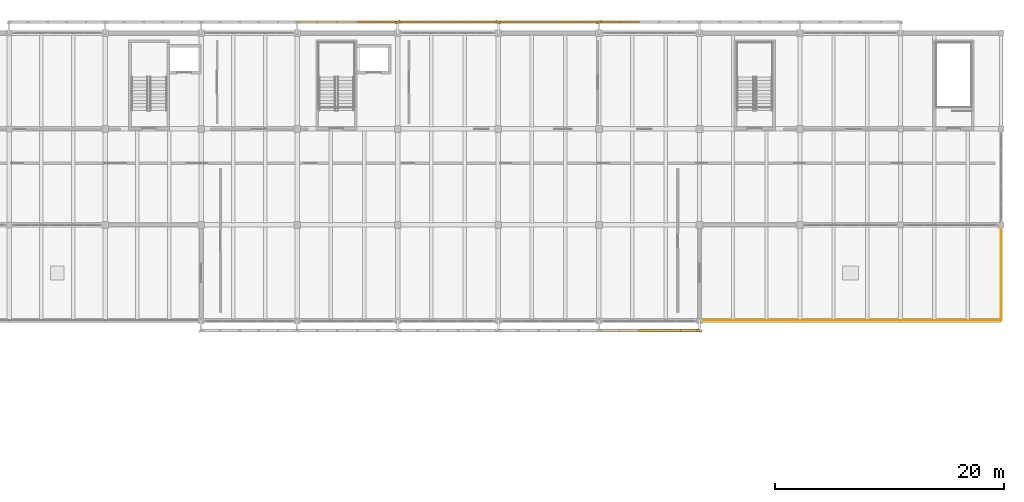
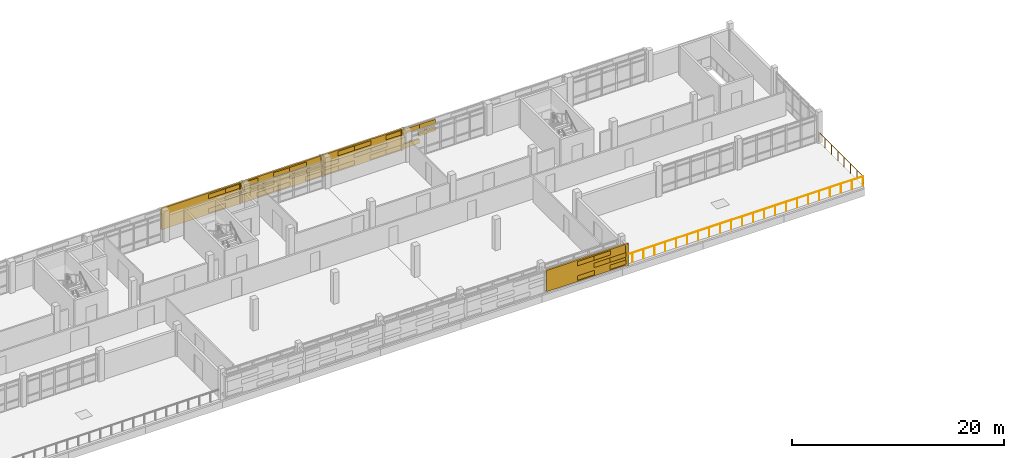
# One storey, part 49 of 50: 38 coverings, 4 shading devices, 2 railings.
"""IFC4 building model written with IfcOpenShell, lengths in metres."""

import ifcopenshell
import ifcopenshell.guid

model = None  # the IFC model being written
_history = None  # IfcOwnerHistory: only IFC2X3 demands one
_inside = {}  # id of a spatial element -> (the spatial element, [elements in it])
_under = {}  # id of a project, library or spatial element -> (it, [spatial elements below it])
_declared = {}  # id of a project -> (the project, [libraries it declares])
_typed = {}  # id of a type object -> (the type object, [elements of that type])
_made_of = {}  # id of a material, layer set ... -> (it, [elements and type objects made of it])


def new_model(schema):
    """Start an empty IFC model of exactly this schema.

    Asked for "IFC4X3", IfcOpenShell would pick the latest addendum, in which some entities
    have other attributes; the version numbers below select the first issue.
    IFC2X3 requires an IfcOwnerHistory on every rooted entity: one is made here for all.
    """
    global model, _history
    if schema == "IFC4X3":
        model = ifcopenshell.file(schema_version=(4, 3, 0, 0))
    else:
        model = ifcopenshell.file(schema=schema)
    _inside.clear()
    _under.clear()
    _declared.clear()
    _typed.clear()
    _made_of.clear()
    _history = None
    if model.schema == "IFC2X3":
        org = make("IfcOrganization", Name="unknown")
        user = make(
            "IfcPersonAndOrganization",
            ThePerson=make("IfcPerson", FamilyName="unknown"),
            TheOrganization=org,
        )
        app = make(
            "IfcApplication",
            ApplicationDeveloper=org,
            Version="unknown",
            ApplicationFullName="unknown",
            ApplicationIdentifier="unknown",
        )
        _history = make(
            "IfcOwnerHistory",
            OwningUser=user,
            OwningApplication=app,
            ChangeAction="ADDED",
            CreationDate=0,
        )
    return model


def make(cls, **values):
    """One entity of the class cls with the attributes given. An attribute that is None is left unset."""
    return model.create_entity(
        cls, **{name: value for name, value in values.items() if value is not None}
    )


def rooted(cls, **values):
    """An entity with a GlobalId (a new one), such as an element, a storey or a relation."""
    return make(cls, GlobalId=ifcopenshell.guid.new(), OwnerHistory=_history, **values)


def si_unit(unit_type, name, prefix=None):
    """IfcSIUnit, for example si_unit("LENGTHUNIT", "METRE", prefix="MILLI")."""
    return make("IfcSIUnit", UnitType=unit_type, Prefix=prefix, Name=name)


def assignment(units):
    """IfcUnitAssignment: the units of a project."""
    return None if units is None else make("IfcUnitAssignment", Units=units)


def point(xyz):
    """IfcCartesianPoint."""
    return None if xyz is None else make("IfcCartesianPoint", Coordinates=xyz)


def direction(xyz):
    """IfcDirection."""
    return None if xyz is None else make("IfcDirection", DirectionRatios=xyz)


def frame(location, z_axis=None, x_axis=None):
    """IfcAxis2Placement3D, a coordinate frame: its origin and axes. An axis left out is left unset."""
    return make(
        "IfcAxis2Placement3D",
        Location=point(location),
        Axis=direction(z_axis),
        RefDirection=direction(x_axis),
    )


def frame_2d(location, x_axis=None):
    """IfcAxis2Placement2D, a coordinate frame in the plane: its origin and x axis."""
    return make(
        "IfcAxis2Placement2D", Location=point(location), RefDirection=direction(x_axis)
    )


def origin():
    """The frame at (0, 0, 0) with its axes left unset."""
    return frame((0.0, 0.0, 0.0))


def origin_2d():
    """The frame at (0, 0) in the plane with its x axis left unset."""
    return frame_2d((0.0, 0.0))


def place(relative_to, where):
    """IfcLocalPlacement: puts the frame where relative to a parent placement (None: the world)."""
    return make(
        "IfcLocalPlacement", PlacementRelTo=relative_to, RelativePlacement=where
    )


def context(
    kind, dimensions, precision=None, world=None, true_north=None, identifier=None
):
    """IfcGeometricRepresentationContext, for example the 3D "Model" context."""
    return make(
        "IfcGeometricRepresentationContext",
        ContextIdentifier=identifier,
        ContextType=kind,
        CoordinateSpaceDimension=dimensions,
        Precision=precision,
        WorldCoordinateSystem=world,
        TrueNorth=true_north,
    )


def subcontext(parent, identifier, kind, view, scale=None):
    """IfcGeometricRepresentationSubContext, for example "Body" below "Model"."""
    return make(
        "IfcGeometricRepresentationSubContext",
        ContextIdentifier=identifier,
        ContextType=kind,
        ParentContext=parent,
        TargetScale=scale,
        TargetView=view,
    )


def project(units=None, contexts=None):
    """IfcProject with its units and contexts."""
    return rooted(
        "IfcProject",
        Name="project",
        RepresentationContexts=contexts,
        UnitsInContext=assignment(units),
    )


def spatial(cls, under=None, at=None, **own):
    """A site, building, storey or space (cls), placed at a placement, below another one or the project."""
    s = rooted(cls, ObjectPlacement=at, **own)
    if under is not None:
        _under.setdefault(under.id(), (under, []))[1].append(s)
    return s


def profile(cls, at=None, kind="AREA", **sizes):
    """A parametric profile (cls). Its sizes go by their IFC names, for example OverallWidth=200.0."""
    return make(cls, ProfileType=kind, Position=at, **sizes)


def rectangle(**sizes):
    """IfcRectangleProfileDef."""
    return profile("IfcRectangleProfileDef", **sizes)


def circle(**sizes):
    """IfcCircleProfileDef."""
    return profile("IfcCircleProfileDef", **sizes)


def extrude(swept, where, along, depth):
    """IfcExtrudedAreaSolid: the profile swept, set in the frame where, extruded along a direction by depth."""
    return make(
        "IfcExtrudedAreaSolid",
        SweptArea=swept,
        Position=where,
        ExtrudedDirection=direction(along),
        Depth=depth,
    )


def shape(context_of_items, identifier, shape_type, items):
    """IfcShapeRepresentation: the items that make up one representation, for example the "Body"."""
    return make(
        "IfcShapeRepresentation",
        ContextOfItems=context_of_items,
        RepresentationIdentifier=identifier,
        RepresentationType=shape_type,
        Items=items,
    )


def material(Name=None, Category=None):
    """IfcMaterial."""
    return make("IfcMaterial", Name=Name, Category=Category)


def layer(
    of_material, thickness, ventilated=None, Name=None, Category=None, Priority=None
):
    """IfcMaterialLayer: one layer of a wall or slab, of a material (None: an air gap)."""
    return make(
        "IfcMaterialLayer",
        Material=of_material,
        LayerThickness=thickness,
        IsVentilated=ventilated,
        Name=Name,
        Category=Category,
        Priority=Priority,
    )


def layer_set(layers, Name=None):
    """IfcMaterialLayerSet."""
    return make("IfcMaterialLayerSet", MaterialLayers=layers, LayerSetName=Name)


def made_of(thing, what):
    """Note that an element or type object is made of a material, layer set ...; save() writes the relation."""
    if what is not None:
        _made_of.setdefault(what.id(), (what, []))[1].append(thing)
    return thing


def type_object(cls, material=None, **own):
    """A type object (cls), such as IfcWallType, which elements share."""
    return made_of(rooted(cls, **own), material)


def element(
    cls,
    number,
    at=None,
    inside=None,
    cuts=None,
    type_object=None,
    material=None,
    context=None,
    identifier="Body",
    shape_type=None,
    held_by="IfcProductDefinitionShape",
    body=None,
    shapes=None,
    **own,
):
    """One element of the class cls, such as IfcWall. Its Tag is "e" and its number.

    at: its placement. inside: the storey or other place that contains it. cuts: it is an
    opening in that element (IfcRelVoidsElement). A single representation is given by context,
    identifier, shape_type and body (its items); several are given by shapes. held_by: the class
    of the entity that holds the representations. save() writes the other relations.
    """
    e = rooted(cls, Tag="e%d" % number, ObjectPlacement=at, **own)
    if body is not None:
        shapes = [shape(context, identifier, shape_type, body)]
    if shapes is not None:
        e.Representation = make(held_by, Representations=shapes)
    if inside is not None:
        _inside.setdefault(inside.id(), (inside, []))[1].append(e)
    if cuts is not None:
        rooted(
            "IfcRelVoidsElement", RelatingBuildingElement=cuts, RelatedOpeningElement=e
        )
    if type_object is not None:
        _typed.setdefault(type_object.id(), (type_object, []))[1].append(e)
    return made_of(e, material)


def aggregate(whole, parts):
    """IfcRelAggregates: a whole, such as a stair, and the parts it consists of."""
    return rooted("IfcRelAggregates", RelatingObject=whole, RelatedObjects=parts)


def save(model, path):
    """Write the relations noted so far, then the file.

    IfcRelAggregates (storeys below a building ...), IfcRelContainedInSpatialStructure (elements
    in a storey), IfcRelDefinesByType, IfcRelAssociatesMaterial and IfcRelDeclares: one each for
    every whole, place, type object, material and project.
    """
    for whole, parts in _under.values():
        aggregate(whole, parts)
    for where, things in _inside.values():
        rooted(
            "IfcRelContainedInSpatialStructure",
            RelatedElements=things,
            RelatingStructure=where,
        )
    for kind, things in _typed.values():
        rooted("IfcRelDefinesByType", RelatedObjects=things, RelatingType=kind)
    for what, things in _made_of.values():
        rooted("IfcRelAssociatesMaterial", RelatedObjects=things, RelatingMaterial=what)
    for by, libraries in _declared.values():
        rooted("IfcRelDeclares", RelatingContext=by, RelatedDefinitions=libraries)
    model.write(path)


model = new_model("IFC4")

# Units and contexts
model_context = context("Model", 3, precision=1e-05, world=origin(), true_north=direction((0.0, 1.0)))
body_context = subcontext(model_context, "Body", "Model", "MODEL_VIEW")
ifc_project = project(units=[si_unit("LENGTHUNIT", "METRE"), si_unit("AREAUNIT", "SQUARE_METRE"), si_unit("VOLUMEUNIT", "CUBIC_METRE"), si_unit("PLANEANGLEUNIT", "RADIAN"), si_unit("MASSUNIT", "GRAM", prefix="KILO")], contexts=[model_context])

# Site, building, storey
site_placement = place(None, origin())
site = spatial("IfcSite", under=ifc_project, at=site_placement, CompositionType="ELEMENT")
building_placement = place(site_placement, origin())
building = spatial("IfcBuilding", under=site, at=building_placement, Name="Cinderway Yard Community Centre", CompositionType="ELEMENT")
storey_placement = place(building_placement, frame((0.0, 0.0, 12.89990234375)))
storey = spatial("IfcBuildingStorey", under=building, at=storey_placement, Name="L03", CompositionType="ELEMENT", Elevation=12.89990234375)

# Coverings
ifc_material_1 = material(Name="Brick Masonry", Category="masonry")
ifc_layer = layer(ifc_material_1, 0.18994140625, Name="Brick Masonry")
ifc_layer_set = layer_set([ifc_layer], Name="Brick Masonry")
covering_type = type_object("IfcCoveringType", Name="ENV-COV-BRK-SCREEN", PredefinedType="CLADDING", material=ifc_layer_set)
for number, where, z_axis, x_axis, name in (
    (1, (84.0, 116.14990234375, 0.64990234375), (0.0, 0.0, 1.0), (0.913545457643, 0.406736643076, 0.0), "Deconstructivist folded brick fin 0260"),
    (2, (92.800048828125, 116.14990234375, 0.64990234375), (0.0, 0.0, 1.0), (0.913545457643, -0.406736643076, 0.0), "Deconstructivist folded brick fin 0261"),
    (3, (101.60009765625, 116.14990234375, 0.64990234375), (0.0, 0.0, 1.0), (0.913545457643, 0.406736643076, 0.0), "Deconstructivist folded brick fin 0262"),
):
    element("IfcCovering", number, at=place(storey_placement, frame(where, z_axis=z_axis, x_axis=x_axis)), inside=storey, type_object=covering_type, Name=name, PredefinedType="CLADDING", context=body_context, shape_type="SweptSolid", body=[
        extrude(rectangle(XDim=0.4599609375, YDim=0.199951171875, at=origin_2d()), origin(), (0.0, 0.0, 1.0), 2.449951171875),
    ])
for number, where, z_axis, x_axis, name in (
    (4, (81.360107421875, 116.14990234375, 0.7900390625), (0.0, 0.0, 1.0), (1.0, 0.0, 0.0), "Open-bond perforated brick screen course 00298"),
    (5, (83.1201171875, 116.14990234375, 1.62109375), (0.0, 0.0, 1.0), (1.0, 0.0, 0.0), "Open-bond perforated brick screen course 00301"),
    (6, (81.360107421875, 116.14990234375, 2.4521484375), (0.0, 0.0, 1.0), (1.0, 0.0, 0.0), "Open-bond perforated brick screen course 00304"),
    (7, (83.1201171875, 116.14990234375, 2.4521484375), (0.0, 0.0, 1.0), (1.0, 0.0, 0.0), "Open-bond perforated brick screen course 00305"),
    (8, (86.639892578125, 116.14990234375, 0.7900390625), (0.0, 0.0, 1.0), (1.0, 0.0, 0.0), "Open-bond perforated brick screen course 00306"),
    (9, (88.39990234375, 116.14990234375, 0.7900390625), (0.0, 0.0, 1.0), (1.0, 0.0, 0.0), "Open-bond perforated brick screen course 00307"),
    (10, (91.919921875, 116.14990234375, 0.7900390625), (0.0, 0.0, 1.0), (1.0, 0.0, 0.0), "Open-bond perforated brick screen course 00308"),
    (11, (84.8798828125, 116.14990234375, 1.62109375), (0.0, 0.0, 1.0), (1.0, 0.0, 0.0), "Open-bond perforated brick screen course 00309"),
    (12, (86.639892578125, 116.14990234375, 1.62109375), (0.0, 0.0, 1.0), (1.0, 0.0, 0.0), "Open-bond perforated brick screen course 00310"),
    (13, (90.159912109375, 116.14990234375, 1.62109375), (0.0, 0.0, 1.0), (1.0, 0.0, 0.0), "Open-bond perforated brick screen course 00311"),
    (14, (91.919921875, 116.14990234375, 1.62109375), (0.0, 0.0, 1.0), (1.0, 0.0, 0.0), "Open-bond perforated brick screen course 00312"),
    (15, (84.8798828125, 116.14990234375, 2.4521484375), (0.0, 0.0, 1.0), (1.0, 0.0, 0.0), "Open-bond perforated brick screen course 00313"),
    (16, (88.39990234375, 116.14990234375, 2.4521484375), (0.0, 0.0, 1.0), (1.0, 0.0, 0.0), "Open-bond perforated brick screen course 00314"),
    (17, (90.159912109375, 116.14990234375, 2.4521484375), (0.0, 0.0, 1.0), (1.0, 0.0, 0.0), "Open-bond perforated brick screen course 00315"),
    (18, (93.679931640625, 116.14990234375, 0.7900390625), (0.0, 0.0, 1.0), (1.0, 0.0, 0.0), "Open-bond perforated brick screen course 00316"),
    (19, (95.43994140625, 116.14990234375, 0.7900390625), (0.0, 0.0, 1.0), (1.0, 0.0, 0.0), "Open-bond perforated brick screen course 00317"),
    (20, (98.9599609375, 116.14990234375, 0.7900390625), (0.0, 0.0, 1.0), (1.0, 0.0, 0.0), "Open-bond perforated brick screen course 00318"),
    (21, (100.719970703125, 116.14990234375, 0.7900390625), (0.0, 0.0, 1.0), (1.0, 0.0, 0.0), "Open-bond perforated brick screen course 00319"),
    (22, (93.679931640625, 116.14990234375, 1.62109375), (0.0, 0.0, 1.0), (1.0, 0.0, 0.0), "Open-bond perforated brick screen course 00320"),
    (23, (97.199951171875, 116.14990234375, 1.62109375), (0.0, 0.0, 1.0), (1.0, 0.0, 0.0), "Open-bond perforated brick screen course 00321"),
    (24, (98.9599609375, 116.14990234375, 1.62109375), (0.0, 0.0, 1.0), (1.0, 0.0, 0.0), "Open-bond perforated brick screen course 00322"),
    (25, (95.43994140625, 116.14990234375, 2.4521484375), (0.0, 0.0, 1.0), (1.0, 0.0, 0.0), "Open-bond perforated brick screen course 00323"),
    (26, (97.199951171875, 116.14990234375, 2.4521484375), (0.0, 0.0, 1.0), (1.0, 0.0, 0.0), "Open-bond perforated brick screen course 00324"),
    (27, (100.719970703125, 116.14990234375, 2.4521484375), (0.0, 0.0, 1.0), (1.0, 0.0, 0.0), "Open-bond perforated brick screen course 00325"),
    (28, (102.47998046875, 116.14990234375, 0.7900390625), (0.0, 0.0, 1.0), (1.0, 0.0, 0.0), "Open-bond perforated brick screen course 00326"),
    (29, (104.239990234375, 116.14990234375, 1.62109375), (0.0, 0.0, 1.0), (1.0, 0.0, 0.0), "Open-bond perforated brick screen course 00329"),
    (30, (102.47998046875, 116.14990234375, 2.4521484375), (0.0, 0.0, 1.0), (1.0, 0.0, 0.0), "Open-bond perforated brick screen course 00332"),
    (31, (104.239990234375, 116.14990234375, 2.4521484375), (0.0, 0.0, 1.0), (1.0, 0.0, 0.0), "Open-bond perforated brick screen course 00333"),
):
    element("IfcCovering", number, at=place(storey_placement, frame(where, z_axis=z_axis, x_axis=x_axis)), inside=storey, type_object=covering_type, Name=name, PredefinedType="CLADDING", context=body_context, shape_type="SweptSolid", body=[
        extrude(rectangle(XDim=1.840087890625, YDim=0.18994140625, at=origin_2d()), origin(), (0.0, 0.0, 1.0), 0.508056640625),
    ])
covering_placement = place(storey_placement, frame((110.39990234375, 89.14990234375, 0.64990234375), z_axis=(0.0, 0.0, 1.0), x_axis=(-0.913545457643, 0.406736643076, 0.0)))
element("IfcCovering", 32, at=covering_placement, inside=storey, type_object=covering_type, Name="Deconstructivist folded brick fin 0694", PredefinedType="CLADDING", context=body_context, shape_type="SweptSolid", body=[
    extrude(rectangle(XDim=0.4599609375, YDim=0.199951171875, at=origin_2d()), origin(), (0.0, 0.0, 1.0), 2.449951171875),
])
for number, where, z_axis, x_axis, name in (
    (33, (106.0, 89.14990234375, 0.7900390625), (0.0, 0.0, 1.0), (-1.0, 0.0, 0.0), "Open-bond perforated brick screen course 00736"),
    (34, (109.52001953125, 89.14990234375, 0.7900390625), (0.0, 0.0, 1.0), (-1.0, 0.0, 0.0), "Open-bond perforated brick screen course 00737"),
    (35, (107.760009765625, 89.14990234375, 1.62109375), (0.0, 0.0, 1.0), (-1.0, 0.0, 0.0), "Open-bond perforated brick screen course 00740"),
    (36, (109.52001953125, 89.14990234375, 1.62109375), (0.0, 0.0, 1.0), (-1.0, 0.0, 0.0), "Open-bond perforated brick screen course 00741"),
    (37, (106.0, 89.14990234375, 2.4521484375), (0.0, 0.0, 1.0), (-1.0, 0.0, 0.0), "Open-bond perforated brick screen course 00743"),
    (38, (107.760009765625, 89.14990234375, 2.4521484375), (0.0, 0.0, 1.0), (-1.0, 0.0, 0.0), "Open-bond perforated brick screen course 00744"),
):
    element("IfcCovering", number, at=place(storey_placement, frame(where, z_axis=z_axis, x_axis=x_axis)), inside=storey, type_object=covering_type, Name=name, PredefinedType="CLADDING", context=body_context, shape_type="SweptSolid", body=[
        extrude(rectangle(XDim=1.840087890625, YDim=0.18994140625, at=origin_2d()), origin(), (0.0, 0.0, 1.0), 0.508056640625),
    ])

# Shading devices
shading_device_type = type_object("IfcShadingDeviceType", Name="ENV-SHD-BRICKSCREEN-A", PredefinedType="USERDEFINED", material=ifc_material_1)
for number, where, z_axis, x_axis, name in (
    (39, (79.60009765625, 116.14990234375, 0.64990234375), (0.0, 0.0, 1.0), (1.0, 0.0, 0.0), "Street Perforated Brick Screen 0219"),
    (40, (88.39990234375, 116.14990234375, 0.64990234375), (0.0, 0.0, 1.0), (1.0, 0.0, 0.0), "Street Perforated Brick Screen 0227"),
    (41, (97.199951171875, 116.14990234375, 0.64990234375), (0.0, 0.0, 1.0), (1.0, 0.0, 0.0), "Street Perforated Brick Screen 0235"),
    (42, (106.0, 89.14990234375, 0.64990234375), (0.0, 0.0, 1.0), (-1.0, 0.0, 0.0), "V4 Courtyard Perforated Brick Screen 0543"),
):
    element("IfcShadingDevice", number, at=place(storey_placement, frame(where, z_axis=z_axis, x_axis=x_axis)), inside=storey, type_object=shading_device_type, Name=name, ObjectType="PERFORATED BRICK SCREEN", PredefinedType="USERDEFINED", context=body_context, shape_type="SweptSolid", body=[
        extrude(rectangle(XDim=8.60009765625, YDim=0.18994140625, at=origin_2d()), origin(), (0.0, 0.0, 1.0), 2.449951171875),
    ])

# Railings
ifc_material_2 = material(Name="Painted Galvanised Steel", Category="steel")
railing_type = type_object("IfcRailingType", Name="INT-RAL-GRD112", PredefinedType="GUARDRAIL", material=ifc_material_2)
railing_1_placement = place(storey_placement, frame((110.39990234375, 90.02001953125, 0.0)))
element("IfcRailing", 43, at=railing_1_placement, inside=storey, type_object=railing_type, Name="V4 L03 East Reading Terrace Guard 037", PredefinedType="GUARDRAIL", context=body_context, shape_type="SweptSolid", body=[
    extrude(circle(Radius=0.02392578125, at=origin_2d()), frame((0.0, 0.0, 1.09619140625), z_axis=(1.0, 0.0, 0.0), x_axis=(0.0, 1.0, 0.0)), (0.0, 0.0, 1.0), 26.380126953125),
    extrude(circle(Radius=0.02099609375, at=origin_2d()), origin(), (0.0, 0.0, 1.0), 1.072021484375),
    extrude(circle(Radius=0.02099609375, at=origin_2d()), frame((1.19921875, 0.0, 0.0)), (0.0, 0.0, 1.0), 1.072021484375),
    extrude(circle(Radius=0.02099609375, at=origin_2d()), frame((2.398193359375, 0.0, 0.0)), (0.0, 0.0, 1.0), 1.072021484375),
    extrude(circle(Radius=0.02099609375, at=origin_2d()), frame((3.59716796875, 0.0, 0.0)), (0.0, 0.0, 1.0), 1.072021484375),
    extrude(circle(Radius=0.02099609375, at=origin_2d()), frame((4.79638671875, 0.0, 0.0)), (0.0, 0.0, 1.0), 1.072021484375),
    extrude(circle(Radius=0.02099609375, at=origin_2d()), frame((5.99560546875, 0.0, 0.0)), (0.0, 0.0, 1.0), 1.072021484375),
    extrude(circle(Radius=0.02099609375, at=origin_2d()), frame((7.194580078125, 0.0, 0.0)), (0.0, 0.0, 1.0), 1.072021484375),
    extrude(circle(Radius=0.02099609375, at=origin_2d()), frame((8.3935546875, 0.0, 0.0)), (0.0, 0.0, 1.0), 1.072021484375),
    extrude(circle(Radius=0.02099609375, at=origin_2d()), frame((9.5927734375, 0.0, 0.0)), (0.0, 0.0, 1.0), 1.072021484375),
    extrude(circle(Radius=0.02099609375, at=origin_2d()), frame((10.7919921875, 0.0, 0.0)), (0.0, 0.0, 1.0), 1.072021484375),
    extrude(circle(Radius=0.02099609375, at=origin_2d()), frame((11.990966796875, 0.0, 0.0)), (0.0, 0.0, 1.0), 1.072021484375),
    extrude(circle(Radius=0.02099609375, at=origin_2d()), frame((13.18994140625, 0.0, 0.0)), (0.0, 0.0, 1.0), 1.072021484375),
    extrude(circle(Radius=0.02099609375, at=origin_2d()), frame((14.38916015625, 0.0, 0.0)), (0.0, 0.0, 1.0), 1.072021484375),
    extrude(circle(Radius=0.02099609375, at=origin_2d()), frame((15.58837890625, 0.0, 0.0)), (0.0, 0.0, 1.0), 1.072021484375),
    extrude(circle(Radius=0.02099609375, at=origin_2d()), frame((16.787353515625, 0.0, 0.0)), (0.0, 0.0, 1.0), 1.072021484375),
    extrude(circle(Radius=0.02099609375, at=origin_2d()), frame((17.986328125, 0.0, 0.0)), (0.0, 0.0, 1.0), 1.072021484375),
    extrude(circle(Radius=0.02099609375, at=origin_2d()), frame((19.185546875, 0.0, 0.0)), (0.0, 0.0, 1.0), 1.072021484375),
    extrude(circle(Radius=0.02099609375, at=origin_2d()), frame((20.384765625, 0.0, 0.0)), (0.0, 0.0, 1.0), 1.072021484375),
    extrude(circle(Radius=0.02099609375, at=origin_2d()), frame((21.583740234375, 0.0, 0.0)), (0.0, 0.0, 1.0), 1.072021484375),
    extrude(circle(Radius=0.02099609375, at=origin_2d()), frame((22.78271484375, 0.0, 0.0)), (0.0, 0.0, 1.0), 1.072021484375),
    extrude(circle(Radius=0.02099609375, at=origin_2d()), frame((23.98193359375, 0.0, 0.0)), (0.0, 0.0, 1.0), 1.072021484375),
    extrude(circle(Radius=0.02099609375, at=origin_2d()), frame((25.18115234375, 0.0, 0.0)), (0.0, 0.0, 1.0), 1.072021484375),
    extrude(circle(Radius=0.02099609375, at=origin_2d()), frame((26.380126953125, 0.0, 0.0)), (0.0, 0.0, 1.0), 1.072021484375),
])
railing_2_placement = place(storey_placement, frame((136.780029296875, 90.02001953125, 0.0)))
element("IfcRailing", 44, at=railing_2_placement, inside=storey, type_object=railing_type, Name="V4 L03 East Reading Terrace Guard 038", PredefinedType="GUARDRAIL", context=body_context, shape_type="SweptSolid", body=[
    extrude(circle(Radius=0.02392578125, at=origin_2d()), frame((0.0, 0.0, 1.09619140625), z_axis=(0.0, 1.0, 0.0), x_axis=(-1.0, 0.0, 0.0)), (0.0, 0.0, 1.0), 8.3798828125),
    extrude(circle(Radius=0.02099609375, at=origin_2d()), origin(), (0.0, 0.0, 1.0), 1.072021484375),
    extrude(circle(Radius=0.02099609375, at=origin_2d()), frame((0.0, 1.197021484375, 0.0)), (0.0, 0.0, 1.0), 1.072021484375),
    extrude(circle(Radius=0.02099609375, at=origin_2d()), frame((0.0, 2.394287109375, 0.0)), (0.0, 0.0, 1.0), 1.072021484375),
    extrude(circle(Radius=0.02099609375, at=origin_2d()), frame((0.0, 3.59130859375, 0.0)), (0.0, 0.0, 1.0), 1.072021484375),
    extrude(circle(Radius=0.02099609375, at=origin_2d()), frame((0.0, 4.78857421875, 0.0)), (0.0, 0.0, 1.0), 1.072021484375),
    extrude(circle(Radius=0.02099609375, at=origin_2d()), frame((0.0, 5.985595703125, 0.0)), (0.0, 0.0, 1.0), 1.072021484375),
    extrude(circle(Radius=0.02099609375, at=origin_2d()), frame((0.0, 7.182861328125, 0.0)), (0.0, 0.0, 1.0), 1.072021484375),
    extrude(circle(Radius=0.02099609375, at=origin_2d()), frame((0.0, 8.3798828125, 0.0)), (0.0, 0.0, 1.0), 1.072021484375),
])

save(model, "model.ifc")
